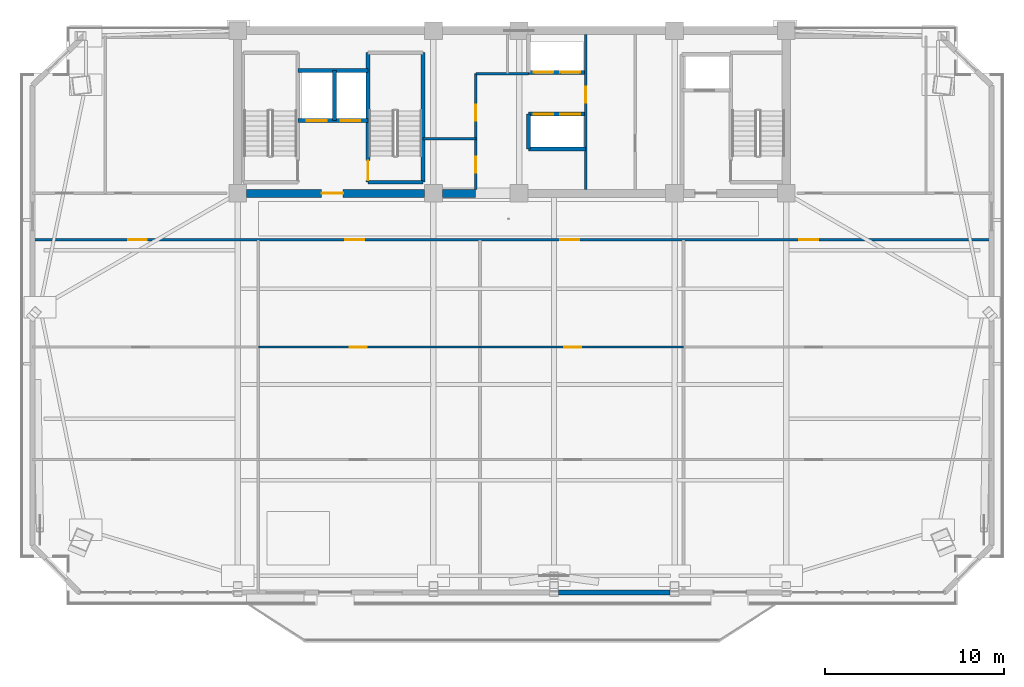
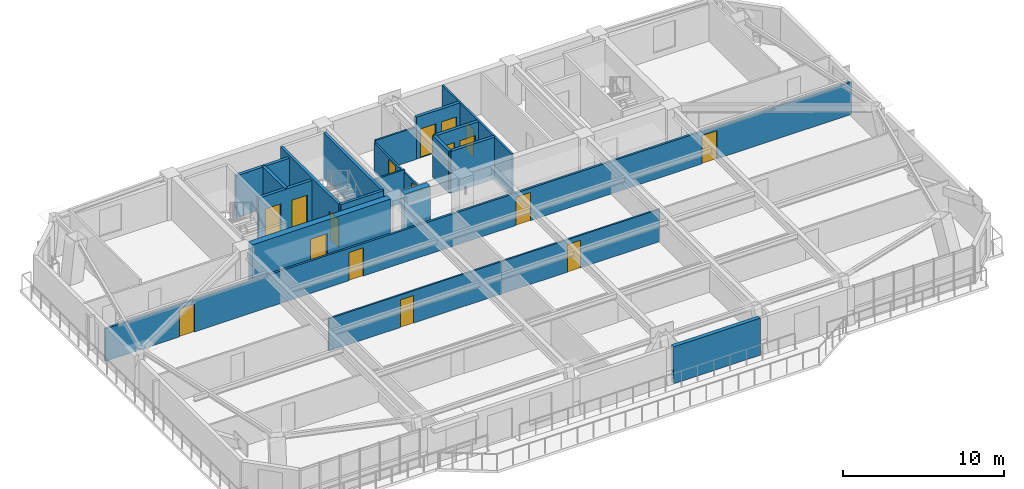
# One storey, part 9 of 16: 20 walls, 17 doors, 17 openings.
"""IFC4 building model written with IfcOpenShell, lengths in metres."""

from ifc_helpers import new_model, si_unit, direction, frame, frame_2d, origin, place, context, subcontext, project, spatial, rectangle, extrude, source, transform, mapped, material, layer, layer_set, type_object, element, fill, save


model = new_model("IFC4")

# Units and contexts
model_context = context("Model", 3, precision=1e-05, world=origin(), true_north=direction((0.0, 1.0)))
body_context = subcontext(model_context, "Body", "Model", "MODEL_VIEW")
ifc_project = project(units=[si_unit("LENGTHUNIT", "METRE"), si_unit("AREAUNIT", "SQUARE_METRE"), si_unit("VOLUMEUNIT", "CUBIC_METRE"), si_unit("PLANEANGLEUNIT", "RADIAN"), si_unit("MASSUNIT", "GRAM", prefix="KILO")], contexts=[model_context])

# Site, building, storey
site_placement = place(None, origin())
site = spatial("IfcSite", under=ifc_project, at=site_placement, CompositionType="ELEMENT")
building_placement = place(site_placement, origin())
building = spatial("IfcBuilding", under=site, at=building_placement, Name="Giltprow Tower", CompositionType="ELEMENT")
storey_placement = place(building_placement, frame((0.0, 0.0, 255.300048828125)))
storey = spatial("IfcBuildingStorey", under=building, at=storey_placement, Name="L65", CompositionType="ELEMENT", Elevation=255.300048828125)

# Wall
ifc_material_1 = material(Name="Precast concrete C40", Category="concrete")
ifc_layer_1 = layer(ifc_material_1, 0.280029296875, Name="Precast concrete C40")
ifc_layer_set_1 = layer_set([ifc_layer_1], Name="Precast concrete C40")
wall_type_1 = type_object("IfcWallType", Name="EW-TOW-BRONZE-280", PredefinedType="SOLIDWALL", material=ifc_layer_set_1)
wall_1_placement = place(storey_placement, frame((37.800048828125, 15.113037109375, 0.0), z_axis=(0.0, 0.0, 1.0), x_axis=(1.0, 0.0, 0.0)))
element("IfcWall", 1, at=wall_1_placement, inside=storey, type_object=wall_type_1, Name="L65 South Expressed Frame Wall 4", PredefinedType="SOLIDWALL", context=body_context, shape_type="SweptSolid", body=[
    extrude(rectangle(XDim=6.25, YDim=0.280029296875, at=frame_2d((3.125, 0.0))), origin(), (0.0, 0.0, 1.0), 2.81494140625),
])

# Wall, openings, doors
ifc_material_2 = material(Name="Gypsum stud partition", Category="gypsum")
ifc_layer_2 = layer(ifc_material_2, 0.14990234375, Name="Gypsum stud partition")
ifc_layer_set_2 = layer_set([ifc_layer_2], Name="Gypsum stud partition")
wall_type_2 = type_object("IfcWallType", Name="IW-CORR-150", PredefinedType="PARTITIONING", material=ifc_layer_set_2)
wall_2_placement = place(storey_placement, frame((8.364013671875, 34.85009765625, 0.0), z_axis=(0.0, 0.0, 1.0), x_axis=(1.0, 0.0, 0.0)))
wall_2 = element("IfcWall", 2, at=wall_2_placement, inside=storey, type_object=wall_type_2, Name="L65 Residence Gallery Corridor Wall", PredefinedType="PARTITIONING", context=body_context, shape_type="SweptSolid", body=[
    extrude(rectangle(XDim=53.673095703125, YDim=0.14990234375, at=frame_2d((26.83642578125, 0.0))), origin(), (0.0, 0.0, 1.0), 2.469970703125),
])
opening_1_placement = place(wall_2_placement, frame((5.35205078125, 0.0, 0.0)))
opening_1 = element("IfcOpeningElement", 3, at=opening_1_placement, cuts=wall_2, Name="Opening ID31", PredefinedType="OPENING", context=body_context, shape_type="SweptSolid", body=[
    extrude(rectangle(XDim=1.050048828125, YDim=2.14990234375, at=frame_2d((0.52490234375, 1.074951171875))), frame((0.0, 0.0849609375, 0.0), z_axis=(0.0, -1.0, 0.0), x_axis=(1.0, 0.0, 0.0)), (0.0, 0.0, 1.0), 0.169921875),
])
opening_2_placement = place(wall_2_placement, frame((17.51708984375, 0.0, 0.0)))
opening_2 = element("IfcOpeningElement", 4, at=opening_2_placement, cuts=wall_2, Name="Opening ID31", PredefinedType="OPENING", context=body_context, shape_type="SweptSolid", body=[
    extrude(rectangle(XDim=1.050048828125, YDim=2.14990234375, at=frame_2d((0.52490234375, 1.074951171875))), frame((0.0, 0.0849609375, 0.0), z_axis=(0.0, -1.0, 0.0), x_axis=(1.0, 0.0, 0.0)), (0.0, 0.0, 1.0), 0.169921875),
])
opening_3_placement = place(wall_2_placement, frame((29.537109375, 0.0, 0.0)))
opening_3 = element("IfcOpeningElement", 5, at=opening_3_placement, cuts=wall_2, Name="Opening ID31", PredefinedType="OPENING", context=body_context, shape_type="SweptSolid", body=[
    extrude(rectangle(XDim=1.050048828125, YDim=2.14990234375, at=frame_2d((0.52490234375, 1.074951171875))), frame((0.0, 0.0849609375, 0.0), z_axis=(0.0, -1.0, 0.0), x_axis=(1.0, 0.0, 0.0)), (0.0, 0.0, 1.0), 0.169921875),
])
opening_4_placement = place(wall_2_placement, frame((42.922119140625, 0.0, 0.0)))
opening_4 = element("IfcOpeningElement", 6, at=opening_4_placement, cuts=wall_2, Name="Opening ID31", PredefinedType="OPENING", context=body_context, shape_type="SweptSolid", body=[
    extrude(rectangle(XDim=1.050048828125, YDim=2.14990234375, at=frame_2d((0.52490234375, 1.074951171875))), frame((0.0, 0.0849609375, 0.0), z_axis=(0.0, -1.0, 0.0), x_axis=(1.0, 0.0, 0.0)), (0.0, 0.0, 1.0), 0.169921875),
])
ifc_material_3 = material(Name="Engineered timber", Category="wood")
door_type_1 = type_object("IfcDoorType", Name="DR-SUITE-1050", OperationType="SINGLE_SWING_LEFT", PredefinedType="DOOR", material=ifc_material_3)
shared_shape_1 = source(origin(), body_context, "Body", "SweptSolid", [
    extrude(rectangle(XDim=1.050048828125, YDim=2.14990234375, at=frame_2d((0.52490234375, 1.074951171875))), frame((0.0, 0.02490234375, 0.0), z_axis=(0.0, -1.0, 0.0), x_axis=(1.0, 0.0, 0.0)), (0.0, 0.0, 1.0), 0.050048828125),
])
door_1_placement = place(opening_1_placement, origin())
door_1 = element("IfcDoor", 7, at=door_1_placement, inside=storey, type_object=door_type_1, Name="L65 Gourmet Delicatessen Shop 1 North Door", OperationType="SINGLE_SWING_LEFT", OverallHeight=2.14990234375, OverallWidth=1.050048828125, PredefinedType="DOOR", context=body_context, shape_type="MappedRepresentation", body=[
    mapped(shared_shape_1, transform((0.0, 0.0, 0.0), x_axis=(1.0, 0.0, 0.0), y_axis=(0.0, 1.0, 0.0), z_axis=(0.0, 0.0, 1.0), scale=1.0)),
])
fill(opening_1, door_1)
door_2_placement = place(opening_2_placement, origin())
door_2 = element("IfcDoor", 8, at=door_2_placement, inside=storey, type_object=door_type_1, Name="L65 Residents Sky Club Lounge North Door", OperationType="SINGLE_SWING_RIGHT", OverallHeight=2.14990234375, OverallWidth=1.050048828125, PredefinedType="DOOR", context=body_context, shape_type="MappedRepresentation", body=[
    mapped(shared_shape_1, transform((0.0, 0.0, 0.0), x_axis=(1.0, 0.0, 0.0), y_axis=(0.0, 1.0, 0.0), z_axis=(0.0, 0.0, 1.0), scale=1.0)),
])
fill(opening_2, door_2)
door_3_placement = place(opening_3_placement, origin())
door_3 = element("IfcDoor", 9, at=door_3_placement, inside=storey, type_object=door_type_1, Name="L65 Residents Sky Club Lounge North Door", OperationType="SINGLE_SWING_LEFT", OverallHeight=2.14990234375, OverallWidth=1.050048828125, PredefinedType="DOOR", context=body_context, shape_type="MappedRepresentation", body=[
    mapped(shared_shape_1, transform((0.0, 0.0, 0.0), x_axis=(1.0, 0.0, 0.0), y_axis=(0.0, 1.0, 0.0), z_axis=(0.0, 0.0, 1.0), scale=1.0)),
])
fill(opening_3, door_3)
door_4_placement = place(opening_4_placement, origin())
door_4 = element("IfcDoor", 10, at=door_4_placement, inside=storey, type_object=door_type_1, Name="L65 Artisan Bakery Shop 2 North Door", OperationType="SINGLE_SWING_RIGHT", OverallHeight=2.14990234375, OverallWidth=1.050048828125, PredefinedType="DOOR", context=body_context, shape_type="MappedRepresentation", body=[
    mapped(shared_shape_1, transform((0.0, 0.0, 0.0), x_axis=(1.0, 0.0, 0.0), y_axis=(0.0, 1.0, 0.0), z_axis=(0.0, 0.0, 1.0), scale=1.0)),
])
fill(opening_4, door_4)

# Wall, opening, door
ifc_layer_3 = layer(ifc_material_2, 0.1201171875, Name="Gypsum stud partition")
ifc_layer_set_3 = layer_set([ifc_layer_3], Name="Gypsum stud partition")
wall_type_3 = type_object("IfcWallType", Name="IW-ROOM-120", PredefinedType="PARTITIONING", material=ifc_layer_set_3)
wall_3_placement = place(storey_placement, frame((21.0, 28.842041015625, 0.0), z_axis=(0.0, 0.0, 1.0), x_axis=(1.0, 0.0, 0.0)))
wall_3 = element("IfcWall", 11, at=wall_3_placement, inside=storey, type_object=wall_type_3, Name="L65 Special Split 2", PredefinedType="PARTITIONING", context=body_context, shape_type="SweptSolid", body=[
    extrude(rectangle(XDim=12.39990234375, YDim=0.1201171875, at=frame_2d((6.199951171875, 0.0))), origin(), (0.0, 0.0, 1.0), 2.469970703125),
])
opening_5_placement = place(wall_3_placement, frame((5.1259765625, 0.0, 0.0)))
opening_5 = element("IfcOpeningElement", 12, at=opening_5_placement, cuts=wall_3, Name="Opening ID11", PredefinedType="OPENING", context=body_context, shape_type="SweptSolid", body=[
    extrude(rectangle(XDim=0.949951171875, YDim=2.10009765625, at=frame_2d((0.47509765625, 1.050048828125))), frame((0.0, 0.070068359375, 0.0), z_axis=(0.0, -1.0, 0.0), x_axis=(1.0, 0.0, 0.0)), (0.0, 0.0, 1.0), 0.14013671875),
])
door_type_2 = type_object("IfcDoorType", Name="DR-ROOM-950", OperationType="SINGLE_SWING_RIGHT", PredefinedType="DOOR", material=ifc_material_3)
shared_shape_2 = source(origin(), body_context, "Body", "SweptSolid", [
    extrude(rectangle(XDim=0.949951171875, YDim=2.10009765625, at=frame_2d((0.47509765625, 1.050048828125))), frame((0.0, 0.02490234375, 0.0), z_axis=(0.0, -1.0, 0.0), x_axis=(1.0, 0.0, 0.0)), (0.0, 0.0, 1.0), 0.050048828125),
])
door_5_placement = place(opening_5_placement, origin())
door_5 = element("IfcDoor", 13, at=door_5_placement, inside=storey, type_object=door_type_2, Name="L65 Residents Sky Club Lounge Mid Door", OperationType="SINGLE_SWING_LEFT", OverallHeight=2.10009765625, OverallWidth=0.949951171875, PredefinedType="DOOR", context=body_context, shape_type="MappedRepresentation", body=[
    mapped(shared_shape_2, transform((0.0, 0.0, 0.0), x_axis=(1.0, 0.0, 0.0), y_axis=(0.0, 1.0, 0.0), z_axis=(0.0, 0.0, 1.0), scale=1.0)),
])
fill(opening_5, door_5)

wall_4_placement = place(storey_placement, frame((33.39990234375, 28.842041015625, 0.0), z_axis=(0.0, 0.0, 1.0), x_axis=(1.0, 0.0, 0.0)))
wall_4 = element("IfcWall", 14, at=wall_4_placement, inside=storey, type_object=wall_type_3, Name="L65 Special Split 2", PredefinedType="PARTITIONING", context=body_context, shape_type="SweptSolid", body=[
    extrude(rectangle(XDim=11.400146484375, YDim=0.1201171875, at=frame_2d((5.7001953125, 0.0))), origin(), (0.0, 0.0, 1.0), 2.469970703125),
])
opening_6_placement = place(wall_4_placement, frame((4.72607421875, 0.0, 0.0)))
opening_6 = element("IfcOpeningElement", 15, at=opening_6_placement, cuts=wall_4, Name="Opening ID11", PredefinedType="OPENING", context=body_context, shape_type="SweptSolid", body=[
    extrude(rectangle(XDim=0.949951171875, YDim=2.10009765625, at=frame_2d((0.47509765625, 1.050048828125))), frame((0.0, 0.070068359375, 0.0), z_axis=(0.0, -1.0, 0.0), x_axis=(1.0, 0.0, 0.0)), (0.0, 0.0, 1.0), 0.14013671875),
])
door_6_placement = place(opening_6_placement, origin())
door_6 = element("IfcDoor", 16, at=door_6_placement, inside=storey, type_object=door_type_2, Name="L65 Residents Sky Club Lounge Mid Door", OperationType="SINGLE_SWING_RIGHT", OverallHeight=2.10009765625, OverallWidth=0.949951171875, PredefinedType="DOOR", context=body_context, shape_type="MappedRepresentation", body=[
    mapped(shared_shape_2, transform((0.0, 0.0, 0.0), x_axis=(1.0, 0.0, 0.0), y_axis=(0.0, 1.0, 0.0), z_axis=(0.0, 0.0, 1.0), scale=1.0)),
])
fill(opening_6, door_6)

# Wall, openings, doors
ifc_material_4 = material(Name="Concrete C40", Category="concrete")
ifc_layer_4 = layer(ifc_material_4, 0.219970703125, Name="Concrete C40")
ifc_layer_set_4 = layer_set([ifc_layer_4], Name="Concrete C40")
wall_type_4 = type_object("IfcWallType", Name="IW-SHAFT-220", PredefinedType="SOLIDWALL", material=ifc_layer_set_4)
wall_5_placement = place(storey_placement, frame((23.219970703125, 41.52001953125, 0.0), z_axis=(0.0, 0.0, 1.0), x_axis=(1.0, 0.0, 0.0)))
wall_5 = element("IfcWall", 17, at=wall_5_placement, inside=storey, type_object=wall_type_4, Name="L65 FFL1 and Service Lift Front Wall", PredefinedType="SOLIDWALL", context=body_context, shape_type="SweptSolid", body=[
    extrude(rectangle(XDim=3.919921875, YDim=0.219970703125, at=frame_2d((1.9599609375, 0.0))), origin(), (0.0, 0.0, 1.0), 3.18505859375),
])
opening_7_placement = place(wall_5_placement, frame((0.5, 0.0, 0.0)))
opening_7 = element("IfcOpeningElement", 18, at=opening_7_placement, cuts=wall_5, Name="Opening LD-11", PredefinedType="OPENING", context=body_context, shape_type="SweptSolid", body=[
    extrude(rectangle(XDim=1.10009765625, YDim=2.199951171875, at=frame_2d((0.550048828125, 1.10009765625))), frame((0.0, 0.119873046875, 0.0), z_axis=(0.0, -1.0, 0.0), x_axis=(1.0, 0.0, 0.0)), (0.0, 0.0, 1.0), 0.239990234375),
])
opening_8_placement = place(wall_5_placement, frame((2.39990234375, 0.0, 0.0)))
opening_8 = element("IfcOpeningElement", 19, at=opening_8_placement, cuts=wall_5, Name="Opening LD-11", PredefinedType="OPENING", context=body_context, shape_type="SweptSolid", body=[
    extrude(rectangle(XDim=1.10009765625, YDim=2.199951171875, at=frame_2d((0.550048828125, 1.10009765625))), frame((0.0, 0.119873046875, 0.0), z_axis=(0.0, -1.0, 0.0), x_axis=(1.0, 0.0, 0.0)), (0.0, 0.0, 1.0), 0.239990234375),
])
ifc_material_5 = material(Name="Stainless steel", Category="steel")
door_type_3 = type_object("IfcDoorType", Name="DR-LIFT-LD1100", OperationType="SLIDING_TO_LEFT", PredefinedType="DOOR", material=ifc_material_5)
shared_shape_3 = source(origin(), body_context, "Body", "SweptSolid", [
    extrude(rectangle(XDim=1.10009765625, YDim=2.199951171875, at=frame_2d((0.550048828125, 1.10009765625))), frame((0.0, 0.02490234375, 0.0), z_axis=(0.0, -1.0, 0.0), x_axis=(1.0, 0.0, 0.0)), (0.0, 0.0, 1.0), 0.050048828125),
])
door_7_placement = place(opening_7_placement, origin())
door_7 = element("IfcDoor", 20, at=door_7_placement, inside=storey, type_object=door_type_3, Name="L65 FFL1 Landing Door", OperationType="SLIDING_TO_LEFT", OverallHeight=2.199951171875, OverallWidth=1.10009765625, PredefinedType="DOOR", context=body_context, shape_type="MappedRepresentation", body=[
    mapped(shared_shape_3, transform((0.0, 0.0, 0.0), x_axis=(1.0, 0.0, 0.0), y_axis=(0.0, 1.0, 0.0), z_axis=(0.0, 0.0, 1.0), scale=1.0)),
])
fill(opening_7, door_7)
door_8_placement = place(opening_8_placement, origin())
door_8 = element("IfcDoor", 21, at=door_8_placement, inside=storey, type_object=door_type_3, Name="L65 SVL1 Landing Door", OperationType="SLIDING_TO_LEFT", OverallHeight=2.199951171875, OverallWidth=1.10009765625, PredefinedType="DOOR", context=body_context, shape_type="MappedRepresentation", body=[
    mapped(shared_shape_3, transform((0.0, 0.0, 0.0), x_axis=(1.0, 0.0, 0.0), y_axis=(0.0, 1.0, 0.0), z_axis=(0.0, 0.0, 1.0), scale=1.0)),
])
fill(opening_8, door_8)

# Walls
wall_6_placement = place(storey_placement, frame((25.260009765625, 41.52001953125, 0.0), z_axis=(0.0, 0.0, 1.0), x_axis=(0.0, 1.0, 0.0)))
element("IfcWall", 22, at=wall_6_placement, inside=storey, type_object=wall_type_4, Name="L65 FFL1-SVL1 Shaft Divider", PredefinedType="SOLIDWALL", context=body_context, shape_type="SweptSolid", body=[
    extrude(rectangle(XDim=2.800048828125, YDim=0.219970703125, at=frame_2d((1.39990234375, 0.0))), origin(), (0.0, 0.0, 1.0), 3.18505859375),
])
wall_7_placement = place(storey_placement, frame((23.219970703125, 44.320068359375, 0.0), z_axis=(0.0, 0.0, 1.0), x_axis=(1.0, 0.0, 0.0)))
element("IfcWall", 23, at=wall_7_placement, inside=storey, type_object=wall_type_4, Name="L65 FFL1-SVL1 Back Shaft Wall", PredefinedType="SOLIDWALL", context=body_context, shape_type="SweptSolid", body=[
    extrude(rectangle(XDim=3.919921875, YDim=0.219970703125, at=frame_2d((1.9599609375, 0.0))), origin(), (0.0, 0.0, 1.0), 3.18505859375),
])

# Wall, openings, doors
wall_8_placement = place(storey_placement, frame((36.1201171875, 44.219970703125, 0.0), z_axis=(0.0, 0.0, 1.0), x_axis=(1.0, 0.0, 0.0)))
wall_8 = element("IfcWall", 24, at=wall_8_placement, inside=storey, type_object=wall_type_4, Name="L65 High-Rise Lift Shaft Front Wall N", PredefinedType="SOLIDWALL", context=body_context, shape_type="SweptSolid", body=[
    extrude(rectangle(XDim=3.199951171875, YDim=0.219970703125, at=frame_2d((1.60009765625, 0.0))), origin(), (0.0, 0.0, 1.0), 3.18505859375),
])
opening_9_placement = place(wall_8_placement, frame((0.300048828125, 0.0, 0.0)))
opening_9 = element("IfcOpeningElement", 25, at=opening_9_placement, cuts=wall_8, Name="Opening LD-11", PredefinedType="OPENING", context=body_context, shape_type="SweptSolid", body=[
    extrude(rectangle(XDim=1.10009765625, YDim=2.199951171875, at=frame_2d((0.550048828125, 1.10009765625))), frame((0.0, 0.119873046875, 0.0), z_axis=(0.0, -1.0, 0.0), x_axis=(1.0, 0.0, 0.0)), (0.0, 0.0, 1.0), 0.239990234375),
])
opening_10_placement = place(wall_8_placement, frame((1.7900390625, 0.0, 0.0)))
opening_10 = element("IfcOpeningElement", 26, at=opening_10_placement, cuts=wall_8, Name="Opening LD-11", PredefinedType="OPENING", context=body_context, shape_type="SweptSolid", body=[
    extrude(rectangle(XDim=1.10009765625, YDim=2.199951171875, at=frame_2d((0.550048828125, 1.10009765625))), frame((0.0, 0.119873046875, 0.0), z_axis=(0.0, -1.0, 0.0), x_axis=(1.0, 0.0, 0.0)), (0.0, 0.0, 1.0), 0.239990234375),
])
door_9_placement = place(opening_9_placement, origin())
door_9 = element("IfcDoor", 27, at=door_9_placement, inside=storey, type_object=door_type_3, Name="L65 PL-H1 Landing Door", OperationType="SLIDING_TO_LEFT", OverallHeight=2.199951171875, OverallWidth=1.10009765625, PredefinedType="DOOR", context=body_context, shape_type="MappedRepresentation", body=[
    mapped(shared_shape_3, transform((0.0, 0.0, 0.0), x_axis=(1.0, 0.0, 0.0), y_axis=(0.0, 1.0, 0.0), z_axis=(0.0, 0.0, 1.0), scale=1.0)),
])
fill(opening_9, door_9)
door_10_placement = place(opening_10_placement, origin())
door_10 = element("IfcDoor", 28, at=door_10_placement, inside=storey, type_object=door_type_3, Name="L65 PL-H2 Landing Door", OperationType="SLIDING_TO_LEFT", OverallHeight=2.199951171875, OverallWidth=1.10009765625, PredefinedType="DOOR", context=body_context, shape_type="MappedRepresentation", body=[
    mapped(shared_shape_3, transform((0.0, 0.0, 0.0), x_axis=(1.0, 0.0, 0.0), y_axis=(0.0, 1.0, 0.0), z_axis=(0.0, 0.0, 1.0), scale=1.0)),
])
fill(opening_10, door_10)

wall_9_placement = place(storey_placement, frame((36.1201171875, 41.8798828125, 0.0), z_axis=(0.0, 0.0, 1.0), x_axis=(1.0, 0.0, 0.0)))
wall_9 = element("IfcWall", 29, at=wall_9_placement, inside=storey, type_object=wall_type_4, Name="L65 High-Rise Lift Shaft Front Wall S", PredefinedType="SOLIDWALL", context=body_context, shape_type="SweptSolid", body=[
    extrude(rectangle(XDim=3.199951171875, YDim=0.219970703125, at=frame_2d((1.60009765625, 0.0))), origin(), (0.0, 0.0, 1.0), 3.18505859375),
])
opening_11_placement = place(wall_9_placement, frame((0.300048828125, 0.0, 0.0)))
opening_11 = element("IfcOpeningElement", 30, at=opening_11_placement, cuts=wall_9, Name="Opening LD-11", PredefinedType="OPENING", context=body_context, shape_type="SweptSolid", body=[
    extrude(rectangle(XDim=1.10009765625, YDim=2.199951171875, at=frame_2d((0.550048828125, 1.10009765625))), frame((0.0, 0.119873046875, 0.0), z_axis=(0.0, -1.0, 0.0), x_axis=(1.0, 0.0, 0.0)), (0.0, 0.0, 1.0), 0.239990234375),
])
opening_12_placement = place(wall_9_placement, frame((1.7900390625, 0.0, 0.0)))
opening_12 = element("IfcOpeningElement", 31, at=opening_12_placement, cuts=wall_9, Name="Opening LD-11", PredefinedType="OPENING", context=body_context, shape_type="SweptSolid", body=[
    extrude(rectangle(XDim=1.10009765625, YDim=2.199951171875, at=frame_2d((0.550048828125, 1.10009765625))), frame((0.0, 0.119873046875, 0.0), z_axis=(0.0, -1.0, 0.0), x_axis=(1.0, 0.0, 0.0)), (0.0, 0.0, 1.0), 0.239990234375),
])
door_11_placement = place(opening_11_placement, origin())
door_11 = element("IfcDoor", 32, at=door_11_placement, inside=storey, type_object=door_type_3, Name="L65 PL-H3 Landing Door", OperationType="SLIDING_TO_LEFT", OverallHeight=2.199951171875, OverallWidth=1.10009765625, PredefinedType="DOOR", context=body_context, shape_type="MappedRepresentation", body=[
    mapped(shared_shape_3, transform((0.0, 0.0, 0.0), x_axis=(1.0, 0.0, 0.0), y_axis=(0.0, 1.0, 0.0), z_axis=(0.0, 0.0, 1.0), scale=1.0)),
])
fill(opening_11, door_11)
door_12_placement = place(opening_12_placement, origin())
door_12 = element("IfcDoor", 33, at=door_12_placement, inside=storey, type_object=door_type_3, Name="L65 PL-H4 Landing Door", OperationType="SLIDING_TO_LEFT", OverallHeight=2.199951171875, OverallWidth=1.10009765625, PredefinedType="DOOR", context=body_context, shape_type="MappedRepresentation", body=[
    mapped(shared_shape_3, transform((0.0, 0.0, 0.0), x_axis=(1.0, 0.0, 0.0), y_axis=(0.0, 1.0, 0.0), z_axis=(0.0, 0.0, 1.0), scale=1.0)),
])
fill(opening_12, door_12)

# Walls
wall_10_placement = place(storey_placement, frame((36.1201171875, 39.919921875, 0.0), z_axis=(0.0, 0.0, 1.0), x_axis=(1.0, 0.0, 0.0)))
element("IfcWall", 34, at=wall_10_placement, inside=storey, type_object=wall_type_4, Name="L65 High-Rise South Lift Back Wall", PredefinedType="SOLIDWALL", context=body_context, shape_type="SweptSolid", body=[
    extrude(rectangle(XDim=3.199951171875, YDim=0.219970703125, at=frame_2d((1.60009765625, 0.0))), origin(), (0.0, 0.0, 1.0), 3.18505859375),
])
wall_11_placement = place(storey_placement, frame((36.1201171875, 39.919921875, 0.0), z_axis=(0.0, 0.0, 1.0), x_axis=(0.0, 1.0, 0.0)))
element("IfcWall", 35, at=wall_11_placement, inside=storey, type_object=wall_type_4, Name="L65 High-Rise South Lift West Closure", PredefinedType="SOLIDWALL", context=body_context, shape_type="SweptSolid", body=[
    extrude(rectangle(XDim=1.9599609375, YDim=0.219970703125, at=frame_2d((0.97998046875, 0.0))), origin(), (0.0, 0.0, 1.0), 3.18505859375),
])

# Wall, opening, door
ifc_layer_5 = layer(ifc_material_4, 0.199951171875, Name="Concrete C40")
ifc_layer_set_5 = layer_set([ifc_layer_5], Name="Concrete C40")
wall_type_5 = type_object("IfcWallType", Name="IW-STAIR-200", PredefinedType="SOLIDWALL", material=ifc_layer_set_5)
wall_12_placement = place(storey_placement, frame((27.139892578125, 38.070068359375, 0.0), z_axis=(0.0, 0.0, 1.0), x_axis=(0.0, 1.0, 0.0)))
wall_12 = element("IfcWall", 36, at=wall_12_placement, inside=storey, type_object=wall_type_5, Name="L65 Stair ST-2 West Bearing Wall", PredefinedType="SOLIDWALL", context=body_context, shape_type="SweptSolid", body=[
    extrude(rectangle(XDim=7.25, YDim=0.199951171875, at=frame_2d((3.625, 0.0))), origin(), (0.0, 0.0, 1.0), 3.39990234375),
])
opening_13_placement = place(wall_12_placement, frame((0.110107421875, 0.0, 0.0)))
opening_13 = element("IfcOpeningElement", 37, at=opening_13_placement, cuts=wall_12, Name="Opening ID33", PredefinedType="OPENING", context=body_context, shape_type="SweptSolid", body=[
    extrude(rectangle(XDim=1.10009765625, YDim=2.14990234375, at=frame_2d((0.550048828125, 1.074951171875))), frame((0.0, 0.10986328125, 0.0), z_axis=(0.0, -1.0, 0.0), x_axis=(1.0, 0.0, 0.0)), (0.0, 0.0, 1.0), 0.219970703125),
])
ifc_material_6 = material(Name="Steel fire leaf", Category="steel")
door_type_4 = type_object("IfcDoorType", Name="DR-STAIR-1100", OperationType="SINGLE_SWING_LEFT", PredefinedType="DOOR", material=ifc_material_6)
shared_shape_4 = source(origin(), body_context, "Body", "SweptSolid", [
    extrude(rectangle(XDim=1.10009765625, YDim=2.14990234375, at=frame_2d((0.550048828125, 1.074951171875))), frame((0.0, 0.02490234375, 0.0), z_axis=(0.0, -1.0, 0.0), x_axis=(1.0, 0.0, 0.0)), (0.0, 0.0, 1.0), 0.050048828125),
])
door_13_placement = place(opening_13_placement, origin())
door_13 = element("IfcDoor", 38, at=door_13_placement, inside=storey, type_object=door_type_4, Name="L65 Stair ST-2 Fire Door", OperationType="SINGLE_SWING_LEFT", OverallHeight=2.14990234375, OverallWidth=1.10009765625, PredefinedType="DOOR", context=body_context, shape_type="MappedRepresentation", body=[
    mapped(shared_shape_4, transform((0.0, 0.0, 0.0), x_axis=(1.0, 0.0, 0.0), y_axis=(0.0, 1.0, 0.0), z_axis=(0.0, 0.0, 1.0), scale=1.0)),
])
fill(opening_13, door_13)

# Walls
wall_13_placement = place(storey_placement, frame((30.219970703125, 38.070068359375, 0.0), z_axis=(0.0, 0.0, 1.0), x_axis=(0.0, 1.0, 0.0)))
element("IfcWall", 39, at=wall_13_placement, inside=storey, type_object=wall_type_5, Name="L65 Stair ST-2 East Bearing Wall", PredefinedType="SOLIDWALL", context=body_context, shape_type="SweptSolid", body=[
    extrude(rectangle(XDim=7.25, YDim=0.199951171875, at=frame_2d((3.625, 0.0))), origin(), (0.0, 0.0, 1.0), 3.39990234375),
])
wall_14_placement = place(storey_placement, frame((27.139892578125, 38.070068359375, 0.0), z_axis=(0.0, 0.0, 1.0), x_axis=(1.0, 0.0, 0.0)))
element("IfcWall", 40, at=wall_14_placement, inside=storey, type_object=wall_type_5, Name="L65 Stair ST-2 South Bearing Wall", PredefinedType="SOLIDWALL", context=body_context, shape_type="SweptSolid", body=[
    extrude(rectangle(XDim=3.080078125, YDim=0.199951171875, at=frame_2d((1.5400390625, 0.0))), origin(), (0.0, 0.0, 1.0), 3.39990234375),
])

# Wall, openings, doors
ifc_material_7 = material(Name="Concrete C30", Category="concrete")
ifc_layer_6 = layer(ifc_material_7, 0.1298828125, Name="Concrete C30")
ifc_layer_set_6 = layer_set([ifc_layer_6], Name="Concrete C30")
wall_type_6 = type_object("IfcWallType", Name="IW-WET-130", PredefinedType="PARTITIONING", material=ifc_layer_set_6)
wall_15_placement = place(storey_placement, frame((33.179931640625, 37.655029296875, 0.0), z_axis=(0.0, 0.0, 1.0), x_axis=(0.0, 1.0, 0.0)))
wall_15 = element("IfcWall", 41, at=wall_15_placement, inside=storey, type_object=wall_type_6, Name="L65 Reclaimed West Core Wall", PredefinedType="PARTITIONING", context=body_context, shape_type="SweptSolid", body=[
    extrude(rectangle(XDim=6.494873046875, YDim=0.1298828125, at=frame_2d((3.24755859375, 0.0))), origin(), (0.0, 0.0, 1.0), 2.27001953125),
])
opening_14_placement = place(wall_15_placement, frame((0.945068359375, 0.0, 0.0)))
opening_14 = element("IfcOpeningElement", 42, at=opening_14_placement, cuts=wall_15, Name="Opening ID35", PredefinedType="OPENING", context=body_context, shape_type="SweptSolid", body=[
    extrude(rectangle(XDim=0.89990234375, YDim=2.10009765625, at=frame_2d((0.449951171875, 1.050048828125))), frame((0.0, 0.074951171875, 0.0), z_axis=(0.0, -1.0, 0.0), x_axis=(1.0, 0.0, 0.0)), (0.0, 0.0, 1.0), 0.14990234375),
])
opening_15_placement = place(wall_15_placement, frame((3.844970703125, 0.0, 0.0)))
opening_15 = element("IfcOpeningElement", 43, at=opening_15_placement, cuts=wall_15, Name="Opening ID35", PredefinedType="OPENING", context=body_context, shape_type="SweptSolid", body=[
    extrude(rectangle(XDim=0.89990234375, YDim=2.10009765625, at=frame_2d((0.449951171875, 1.050048828125))), frame((0.0, 0.074951171875, 0.0), z_axis=(0.0, -1.0, 0.0), x_axis=(1.0, 0.0, 0.0)), (0.0, 0.0, 1.0), 0.14990234375),
])
door_type_5 = type_object("IfcDoorType", Name="DR-SHAFT-900", OperationType="SINGLE_SWING_LEFT", PredefinedType="DOOR", material=ifc_material_6)
shared_shape_5 = source(origin(), body_context, "Body", "SweptSolid", [
    extrude(rectangle(XDim=0.89990234375, YDim=2.10009765625, at=frame_2d((0.449951171875, 1.050048828125))), frame((0.0, 0.02490234375, 0.0), z_axis=(0.0, -1.0, 0.0), x_axis=(1.0, 0.0, 0.0)), (0.0, 0.0, 1.0), 0.050048828125),
])
door_14_placement = place(opening_14_placement, origin())
door_14 = element("IfcDoor", 44, at=door_14_placement, inside=storey, type_object=door_type_5, Name="L65 Core Powder WC Door", OperationType="SINGLE_SWING_LEFT", OverallHeight=2.10009765625, OverallWidth=0.89990234375, PredefinedType="DOOR", context=body_context, shape_type="MappedRepresentation", body=[
    mapped(shared_shape_5, transform((0.0, 0.0, 0.0), x_axis=(1.0, 0.0, 0.0), y_axis=(0.0, 1.0, 0.0), z_axis=(0.0, 0.0, 1.0), scale=1.0)),
])
fill(opening_14, door_14)
door_15_placement = place(opening_15_placement, origin())
door_15 = element("IfcDoor", 45, at=door_15_placement, inside=storey, type_object=door_type_5, Name="L65 Core Sommelier Pantry Door", OperationType="SINGLE_SWING_RIGHT", OverallHeight=2.10009765625, OverallWidth=0.89990234375, PredefinedType="DOOR", context=body_context, shape_type="MappedRepresentation", body=[
    mapped(shared_shape_5, transform((0.0, 0.0, 0.0), x_axis=(1.0, 0.0, 0.0), y_axis=(0.0, 1.0, 0.0), z_axis=(0.0, 0.0, 1.0), scale=1.0)),
])
fill(opening_15, door_15)

# Wall
wall_16_placement = place(storey_placement, frame((33.179931640625, 44.14990234375, 0.0), z_axis=(0.0, 0.0, 1.0), x_axis=(1.0, 0.0, 0.0)))
element("IfcWall", 46, at=wall_16_placement, inside=storey, type_object=wall_type_6, Name="L65 Reclaimed West Pocket Wall S", PredefinedType="PARTITIONING", context=body_context, shape_type="SweptSolid", body=[
    extrude(rectangle(XDim=2.940185546875, YDim=0.1298828125, at=frame_2d((1.47021484375, 0.0))), origin(), (0.0, 0.0, 1.0), 2.469970703125),
])

# Wall, opening, door
wall_17_placement = place(storey_placement, frame((39.320068359375, 37.655029296875, 0.0), z_axis=(0.0, 0.0, 1.0), x_axis=(0.0, 1.0, 0.0)))
wall_17 = element("IfcWall", 47, at=wall_17_placement, inside=storey, type_object=wall_type_6, Name="L65 Reclaimed East Core Wall", PredefinedType="PARTITIONING", context=body_context, shape_type="SweptSolid", body=[
    extrude(rectangle(XDim=8.68994140625, YDim=0.1298828125, at=frame_2d((4.344970703125, 0.0))), origin(), (0.0, 0.0, 1.0), 3.18505859375),
])
opening_16_placement = place(wall_17_placement, frame((4.864990234375, 0.0, 0.0)))
opening_16 = element("IfcOpeningElement", 48, at=opening_16_placement, cuts=wall_17, Name="Opening ID35", PredefinedType="OPENING", context=body_context, shape_type="SweptSolid", body=[
    extrude(rectangle(XDim=0.89990234375, YDim=2.10009765625, at=frame_2d((0.449951171875, 1.050048828125))), frame((0.0, 0.074951171875, 0.0), z_axis=(0.0, -1.0, 0.0), x_axis=(1.0, 0.0, 0.0)), (0.0, 0.0, 1.0), 0.14990234375),
])
door_16_placement = place(opening_16_placement, origin())
door_16 = element("IfcDoor", 49, at=door_16_placement, inside=storey, type_object=door_type_5, Name="L65 Core Housekeeping Vestibule Door", OperationType="SINGLE_SWING_LEFT", OverallHeight=2.10009765625, OverallWidth=0.89990234375, PredefinedType="DOOR", context=body_context, shape_type="MappedRepresentation", body=[
    mapped(shared_shape_5, transform((0.0, 0.0, 0.0), x_axis=(1.0, 0.0, 0.0), y_axis=(0.0, 1.0, 0.0), z_axis=(0.0, 0.0, 1.0), scale=1.0)),
])
fill(opening_16, door_16)

# Wall
wall_18_placement = place(storey_placement, frame((30.219970703125, 40.5, 0.0), z_axis=(0.0, 0.0, 1.0), x_axis=(1.0, 0.0, 0.0)))
element("IfcWall", 50, at=wall_18_placement, inside=storey, type_object=wall_type_6, Name="L65 West Core Split 2", PredefinedType="PARTITIONING", context=body_context, shape_type="SweptSolid", body=[
    extrude(rectangle(XDim=2.9599609375, YDim=0.1298828125, at=frame_2d((1.47998046875, 0.0))), origin(), (0.0, 0.0, 1.0), 2.469970703125),
])

# Wall, opening, door
ifc_material_8 = material(Name="Concrete C50", Category="concrete")
ifc_layer_7 = layer(ifc_material_8, 0.449951171875, Name="Concrete C50")
ifc_layer_set_7 = layer_set([ifc_layer_7], Name="Concrete C50")
wall_type_7 = type_object("IfcWallType", Name="SW-INT-450-C50", PredefinedType="SHEAR", material=ifc_layer_set_7)
wall_19_placement = place(storey_placement, frame((20.35009765625, 37.449951171875, 0.0), z_axis=(0.0, 0.0, 1.0), x_axis=(1.0, 0.0, 0.0)))
wall_19 = element("IfcWall", 51, at=wall_19_placement, inside=storey, type_object=wall_type_7, Name="L65 South Rear Core Shear Wall West", PredefinedType="SHEAR", context=body_context, shape_type="SweptSolid", body=[
    extrude(rectangle(XDim=9.949951171875, YDim=0.449951171875, at=frame_2d((4.97509765625, 0.0))), origin(), (0.0, 0.0, 1.0), 3.18505859375),
])
opening_17_placement = place(wall_19_placement, frame((4.199951171875, 0.0, 0.0)))
opening_17 = element("IfcOpeningElement", 52, at=opening_17_placement, cuts=wall_19, Name="Opening ID19", PredefinedType="OPENING", context=body_context, shape_type="SweptSolid", body=[
    extrude(rectangle(XDim=1.199951171875, YDim=2.14990234375, at=frame_2d((0.60009765625, 1.074951171875))), frame((0.0, 0.23486328125, 0.0), z_axis=(0.0, -1.0, 0.0), x_axis=(1.0, 0.0, 0.0)), (0.0, 0.0, 1.0), 0.469970703125),
])
door_type_6 = type_object("IfcDoorType", Name="DR-FFLOBBY-1200", OperationType="SINGLE_SWING_RIGHT", PredefinedType="DOOR", material=ifc_material_6)
shared_shape_6 = source(origin(), body_context, "Body", "SweptSolid", [
    extrude(rectangle(XDim=1.199951171875, YDim=2.14990234375, at=frame_2d((0.60009765625, 1.074951171875))), frame((0.0, 0.02490234375, 0.0), z_axis=(0.0, -1.0, 0.0), x_axis=(1.0, 0.0, 0.0)), (0.0, 0.0, 1.0), 0.050048828125),
])
door_17_placement = place(opening_17_placement, origin())
door_17 = element("IfcDoor", 53, at=door_17_placement, inside=storey, type_object=door_type_6, Name="L65 West Firefighting Lobby Entry Door", OperationType="SINGLE_SWING_LEFT", OverallHeight=2.14990234375, OverallWidth=1.199951171875, PredefinedType="DOOR", context=body_context, shape_type="MappedRepresentation", body=[
    mapped(shared_shape_6, transform((0.0, 0.0, 0.0), x_axis=(1.0, 0.0, 0.0), y_axis=(0.0, 1.0, 0.0), z_axis=(0.0, 0.0, 1.0), scale=1.0)),
])
fill(opening_17, door_17)

# Wall
wall_20_placement = place(storey_placement, frame((31.300048828125, 37.449951171875, 0.0), z_axis=(0.0, 0.0, 1.0), x_axis=(1.0, 0.0, 0.0)))
element("IfcWall", 54, at=wall_20_placement, inside=storey, type_object=wall_type_7, Name="L65 South Rear Core Shear Wall Mid-West", PredefinedType="SHEAR", context=body_context, shape_type="SweptSolid", body=[
    extrude(rectangle(XDim=1.849853515625, YDim=0.449951171875, at=frame_2d((0.9248046875, 0.0))), origin(), (0.0, 0.0, 1.0), 3.18505859375),
])

save(model, "model.ifc")
